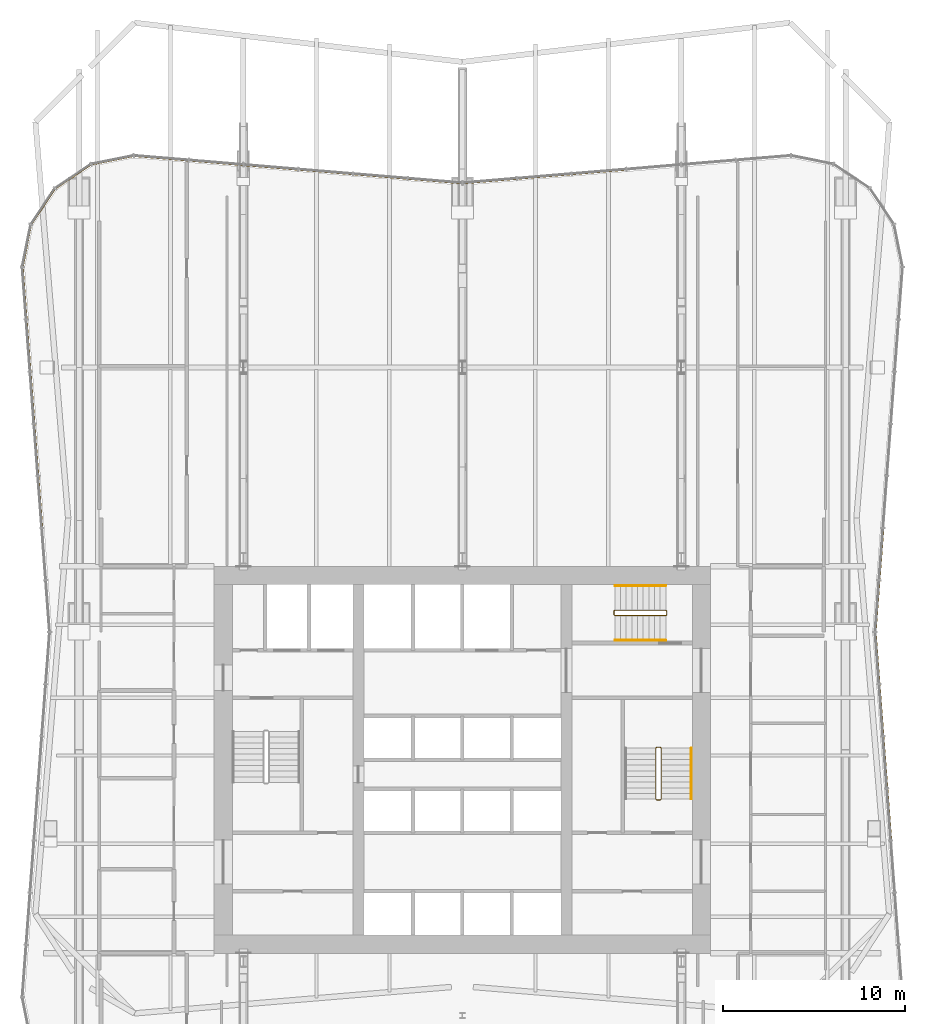
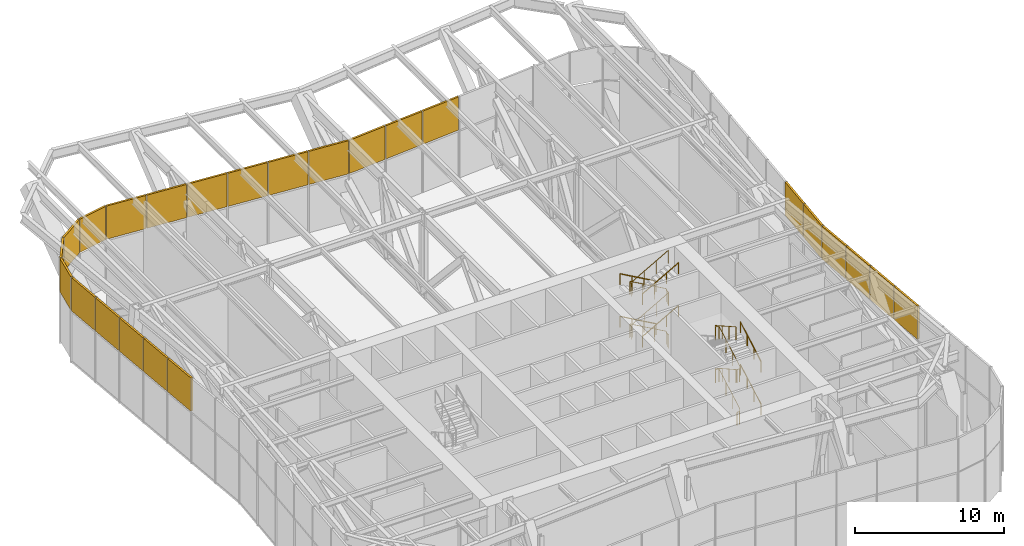
# One storey, part 15 of 16: 24 shading devices, 8 railings, 4 elements without a shape of their own.
"""IFC4 building model written with IfcOpenShell, lengths in metres."""

from ifc_helpers import new_model, si_unit, direction, frame, origin, origin_2d, place, context, subcontext, project, spatial, rectangle, circle, extrude, material, layer, layer_set, type_object, element, aggregate, save


model = new_model("IFC4")

# Units and contexts
model_context = context("Model", 3, precision=1e-05, world=origin(), true_north=direction((0.0, 1.0)))
body_context = subcontext(model_context, "Body", "Model", "MODEL_VIEW")
ifc_project = project(units=[si_unit("LENGTHUNIT", "METRE"), si_unit("AREAUNIT", "SQUARE_METRE"), si_unit("VOLUMEUNIT", "CUBIC_METRE"), si_unit("PLANEANGLEUNIT", "RADIAN"), si_unit("MASSUNIT", "GRAM", prefix="KILO")], contexts=[model_context])

# Site, building, storey
site_placement = place(None, origin())
site = spatial("IfcSite", under=ifc_project, at=site_placement, CompositionType="ELEMENT")
building_placement = place(site_placement, origin())
building = spatial("IfcBuilding", under=site, at=building_placement, Name="Verdant Reach Tower", CompositionType="ELEMENT")
storey_placement = place(building_placement, frame((0.0, 0.0, 170.0)))
storey = spatial("IfcBuildingStorey", under=building, at=storey_placement, Name="L39 Plant", CompositionType="ELEMENT", Elevation=170.0)

# Railings
ifc_material_1 = material(Name="Stainless steel", Category="steel")
railing_type_1 = type_object("IfcRailingType", Name="CO-GUARD", PredefinedType="GUARDRAIL", material=ifc_material_1)
railing_1_placement = place(storey_placement, frame((10.64990234375, 25.800048828125, 0.0)))
element("IfcRailing", 1, at=railing_1_placement, inside=storey, type_object=railing_type_1, Name="L39 Plant ST-2 stair guard 1", PredefinedType="GUARDRAIL", context=body_context, shape_type="SweptSolid", body=[
    extrude(circle(Radius=0.02392578125, at=origin_2d()), frame((0.0, 0.0, 1.076171875), z_axis=(1.0, 0.0, 0.0), x_axis=(0.0, 1.0, 0.0)), (0.0, 0.0, 1.0), 0.2001953125),
    extrude(circle(Radius=0.02392578125, at=origin_2d()), frame((0.2001953125, 0.0, 1.076171875), z_axis=(0.263862480399, 0.265155923931, 0.927399011991), x_axis=(-0.708833529934, 0.705375805398, 0.0)), (0.0, 0.0, 1.0), 0.188720703125),
    extrude(circle(Radius=0.02392578125, at=origin_2d()), frame((0.25, 0.050048828125, 1.2509765625), z_axis=(0.0, 0.870815363784, 0.491610213684), x_axis=(-1.0, 0.0, 0.0)), (0.0, 0.0, 1.0), 3.20361328125),
    extrude(circle(Radius=0.02392578125, at=origin_2d()), frame((0.25, 2.83984375, 2.826171875), z_axis=(-0.705375805398, 0.708833529934, 0.0), x_axis=(-0.708833529934, -0.705375805398, 0.0)), (0.0, 0.0, 1.0), 0.070556640625),
    extrude(circle(Radius=0.02392578125, at=origin_2d()), frame((0.2001953125, 2.889892578125, 2.826171875), z_axis=(-1.0, 0.0, 0.0), x_axis=(0.0, -1.0, 0.0)), (0.0, 0.0, 1.0), 0.2001953125),
    extrude(circle(Radius=0.02392578125, at=origin_2d()), frame((0.0, 2.889892578125, 2.826171875), z_axis=(-0.263862480399, -0.265155923931, 0.927399011991), x_axis=(0.708833529934, -0.705375805398, 0.0)), (0.0, 0.0, 1.0), 0.188720703125),
    extrude(circle(Radius=0.02392578125, at=origin_2d()), frame((-0.0498046875, 2.83984375, 3.0009765625), z_axis=(0.0, -0.870815363784, 0.491610213684), x_axis=(1.0, 0.0, 0.0)), (0.0, 0.0, 1.0), 3.20361328125),
    extrude(circle(Radius=0.02392578125, at=origin_2d()), frame((-0.0498046875, 0.050048828125, 4.576171875), z_axis=(0.705375805398, -0.708833529934, 0.0), x_axis=(0.708833529934, 0.705375805398, 0.0)), (0.0, 0.0, 1.0), 0.070556640625),
    extrude(circle(Radius=0.02392578125, at=origin_2d()), frame((0.0, 0.0, 4.576171875), z_axis=(1.0, 0.0, 0.0), x_axis=(0.0, 1.0, 0.0)), (0.0, 0.0, 1.0), 0.2001953125),
    extrude(circle(Radius=0.02392578125, at=origin_2d()), frame((0.2001953125, 0.0, 4.576171875), z_axis=(0.263862480399, 0.265155923931, 0.927399011991), x_axis=(-0.708833529934, 0.705375805398, 0.0)), (0.0, 0.0, 1.0), 0.188720703125),
    extrude(circle(Radius=0.02392578125, at=origin_2d()), frame((0.25, 0.050048828125, 4.7509765625), z_axis=(0.0, 0.870815363784, 0.491610213684), x_axis=(-1.0, 0.0, 0.0)), (0.0, 0.0, 1.0), 3.20361328125),
    extrude(circle(Radius=0.02392578125, at=origin_2d()), frame((0.25, 2.83984375, 6.326171875), z_axis=(-0.705375805398, 0.708833529934, 0.0), x_axis=(-0.708833529934, -0.705375805398, 0.0)), (0.0, 0.0, 1.0), 0.070556640625),
    extrude(circle(Radius=0.02392578125, at=origin_2d()), frame((0.2001953125, 2.889892578125, 6.326171875), z_axis=(-1.0, 0.0, 0.0), x_axis=(0.0, -1.0, 0.0)), (0.0, 0.0, 1.0), 0.2001953125),
    extrude(circle(Radius=0.02392578125, at=origin_2d()), frame((0.0, 2.889892578125, 6.326171875), z_axis=(-0.263862480399, -0.265155923931, 0.927399011991), x_axis=(0.708833529934, -0.705375805398, 0.0)), (0.0, 0.0, 1.0), 0.188720703125),
    extrude(circle(Radius=0.02392578125, at=origin_2d()), frame((-0.0498046875, 2.83984375, 6.5009765625), z_axis=(0.0, -0.870815363784, 0.491610213684), x_axis=(1.0, 0.0, 0.0)), (0.0, 0.0, 1.0), 3.20361328125),
    extrude(circle(Radius=0.02099609375, at=origin_2d()), origin(), (0.0, 0.0, 1.0), 1.052001953125),
    extrude(circle(Radius=0.02099609375, at=origin_2d()), frame((0.2001953125, 0.0, 0.0)), (0.0, 0.0, 1.0), 1.052001953125),
    extrude(circle(Radius=0.02099609375, at=origin_2d()), frame((0.25, 0.050048828125, 0.175048828125)), (0.0, 0.0, 1.0), 1.052001953125),
    extrude(circle(Radius=0.02099609375, at=origin_2d()), frame((0.25, 0.97998046875, 0.699951171875)), (0.0, 0.0, 1.0), 1.052001953125),
    extrude(circle(Radius=0.02099609375, at=origin_2d()), frame((0.25, 1.909912109375, 1.22509765625)), (0.0, 0.0, 1.0), 1.052001953125),
    extrude(circle(Radius=0.02099609375, at=origin_2d()), frame((0.25, 2.83984375, 1.75)), (0.0, 0.0, 1.0), 1.052001953125),
    extrude(circle(Radius=0.02099609375, at=origin_2d()), frame((0.2001953125, 2.889892578125, 1.75)), (0.0, 0.0, 1.0), 1.052001953125),
    extrude(circle(Radius=0.02099609375, at=origin_2d()), frame((0.0, 2.889892578125, 1.75)), (0.0, 0.0, 1.0), 1.052001953125),
    extrude(circle(Radius=0.02099609375, at=origin_2d()), frame((-0.0498046875, 2.83984375, 1.925048828125)), (0.0, 0.0, 1.0), 1.052001953125),
    extrude(circle(Radius=0.02099609375, at=origin_2d()), frame((-0.0498046875, 1.909912109375, 2.449951171875)), (0.0, 0.0, 1.0), 1.052001953125),
    extrude(circle(Radius=0.02099609375, at=origin_2d()), frame((-0.0498046875, 0.97998046875, 2.97509765625)), (0.0, 0.0, 1.0), 1.052001953125),
    extrude(circle(Radius=0.02099609375, at=origin_2d()), frame((-0.0498046875, 0.050048828125, 3.5)), (0.0, 0.0, 1.0), 1.052001953125),
    extrude(circle(Radius=0.02099609375, at=origin_2d()), frame((0.0, 0.0, 3.5)), (0.0, 0.0, 1.0), 1.052001953125),
    extrude(circle(Radius=0.02099609375, at=origin_2d()), frame((0.2001953125, 0.0, 3.5)), (0.0, 0.0, 1.0), 1.052001953125),
    extrude(circle(Radius=0.02099609375, at=origin_2d()), frame((0.25, 0.050048828125, 3.675048828125)), (0.0, 0.0, 1.0), 1.052001953125),
    extrude(circle(Radius=0.02099609375, at=origin_2d()), frame((0.25, 0.97998046875, 4.199951171875)), (0.0, 0.0, 1.0), 1.052001953125),
    extrude(circle(Radius=0.02099609375, at=origin_2d()), frame((0.25, 1.909912109375, 4.72509765625)), (0.0, 0.0, 1.0), 1.052001953125),
    extrude(circle(Radius=0.02099609375, at=origin_2d()), frame((0.25, 2.83984375, 5.25)), (0.0, 0.0, 1.0), 1.052001953125),
    extrude(circle(Radius=0.02099609375, at=origin_2d()), frame((0.2001953125, 2.889892578125, 5.25)), (0.0, 0.0, 1.0), 1.052001953125),
    extrude(circle(Radius=0.02099609375, at=origin_2d()), frame((0.0, 2.889892578125, 5.25)), (0.0, 0.0, 1.0), 1.052001953125),
    extrude(circle(Radius=0.02099609375, at=origin_2d()), frame((-0.0498046875, 2.83984375, 5.425048828125)), (0.0, 0.0, 1.0), 1.052001953125),
    extrude(circle(Radius=0.02099609375, at=origin_2d()), frame((-0.0498046875, 1.909912109375, 5.949951171875)), (0.0, 0.0, 1.0), 1.052001953125),
    extrude(circle(Radius=0.02099609375, at=origin_2d()), frame((-0.0498046875, 0.97998046875, 6.47509765625)), (0.0, 0.0, 1.0), 1.052001953125),
    extrude(circle(Radius=0.02099609375, at=origin_2d()), frame((-0.0498046875, 0.050048828125, 7.0)), (0.0, 0.0, 1.0), 1.052001953125),
])
railing_2_placement = place(storey_placement, frame((11.199951171875, 35.949951171875, 0.0)))
element("IfcRailing", 2, at=railing_2_placement, inside=storey, type_object=railing_type_1, Name="L39 Plant ST-3 stair guard 1", PredefinedType="GUARDRAIL", context=body_context, shape_type="SweptSolid", body=[
    extrude(circle(Radius=0.02392578125, at=origin_2d()), frame((0.0, 0.0, 1.076171875), z_axis=(0.0, 1.0, 0.0), x_axis=(-1.0, 0.0, 0.0)), (0.0, 0.0, 1.0), 0.199951171875),
    extrude(circle(Radius=0.02392578125, at=origin_2d()), frame((0.0, 0.199951171875, 1.076171875), z_axis=(-0.265065253269, 0.265065253269, 0.927081885822), x_axis=(-0.707106781187, -0.707106781187, 0.0)), (0.0, 0.0, 1.0), 0.188720703125),
    extrude(circle(Radius=0.02392578125, at=origin_2d()), frame((-0.050048828125, 0.25, 1.2509765625), z_axis=(-0.870815363784, 0.0, 0.491610213684), x_axis=(0.0, -1.0, 0.0)), (0.0, 0.0, 1.0), 3.20361328125),
    extrude(circle(Radius=0.02392578125, at=origin_2d()), frame((-2.83984375, 0.25, 2.826171875), z_axis=(-0.707106781187, -0.707106781187, 0.0), x_axis=(0.707106781187, -0.707106781187, 0.0)), (0.0, 0.0, 1.0), 0.07080078125),
    extrude(circle(Radius=0.02392578125, at=origin_2d()), frame((-2.889892578125, 0.199951171875, 2.826171875), z_axis=(0.0, -1.0, 0.0), x_axis=(1.0, 0.0, 0.0)), (0.0, 0.0, 1.0), 0.199951171875),
    extrude(circle(Radius=0.02392578125, at=origin_2d()), frame((-2.889892578125, 0.0, 2.826171875), z_axis=(0.265065253269, -0.265065253269, 0.927081885822), x_axis=(0.707106781187, 0.707106781187, 0.0)), (0.0, 0.0, 1.0), 0.188720703125),
    extrude(circle(Radius=0.02392578125, at=origin_2d()), frame((-2.83984375, -0.050048828125, 3.0009765625), z_axis=(0.870815363784, 0.0, 0.491610213684), x_axis=(0.0, 1.0, 0.0)), (0.0, 0.0, 1.0), 3.20361328125),
    extrude(circle(Radius=0.02392578125, at=origin_2d()), frame((-0.050048828125, -0.050048828125, 4.576171875), z_axis=(0.707106781187, 0.707106781187, 0.0), x_axis=(-0.707106781187, 0.707106781187, 0.0)), (0.0, 0.0, 1.0), 0.07080078125),
    extrude(circle(Radius=0.02392578125, at=origin_2d()), frame((0.0, 0.0, 4.576171875), z_axis=(0.0, 1.0, 0.0), x_axis=(-1.0, 0.0, 0.0)), (0.0, 0.0, 1.0), 0.199951171875),
    extrude(circle(Radius=0.02392578125, at=origin_2d()), frame((0.0, 0.199951171875, 4.576171875), z_axis=(-0.265065253269, 0.265065253269, 0.927081885822), x_axis=(-0.707106781187, -0.707106781187, 0.0)), (0.0, 0.0, 1.0), 0.188720703125),
    extrude(circle(Radius=0.02392578125, at=origin_2d()), frame((-0.050048828125, 0.25, 4.7509765625), z_axis=(-0.870815363784, 0.0, 0.491610213684), x_axis=(0.0, -1.0, 0.0)), (0.0, 0.0, 1.0), 3.20361328125),
    extrude(circle(Radius=0.02392578125, at=origin_2d()), frame((-2.83984375, 0.25, 6.326171875), z_axis=(-0.707106781187, -0.707106781187, 0.0), x_axis=(0.707106781187, -0.707106781187, 0.0)), (0.0, 0.0, 1.0), 0.07080078125),
    extrude(circle(Radius=0.02392578125, at=origin_2d()), frame((-2.889892578125, 0.199951171875, 6.326171875), z_axis=(0.0, -1.0, 0.0), x_axis=(1.0, 0.0, 0.0)), (0.0, 0.0, 1.0), 0.199951171875),
    extrude(circle(Radius=0.02392578125, at=origin_2d()), frame((-2.889892578125, 0.0, 6.326171875), z_axis=(0.265065253269, -0.265065253269, 0.927081885822), x_axis=(0.707106781187, 0.707106781187, 0.0)), (0.0, 0.0, 1.0), 0.188720703125),
    extrude(circle(Radius=0.02392578125, at=origin_2d()), frame((-2.83984375, -0.050048828125, 6.5009765625), z_axis=(0.870815363784, 0.0, 0.491610213684), x_axis=(0.0, 1.0, 0.0)), (0.0, 0.0, 1.0), 3.20361328125),
    extrude(circle(Radius=0.02099609375, at=origin_2d()), origin(), (0.0, 0.0, 1.0), 1.052001953125),
    extrude(circle(Radius=0.02099609375, at=origin_2d()), frame((0.0, 0.199951171875, 0.0)), (0.0, 0.0, 1.0), 1.052001953125),
    extrude(circle(Radius=0.02099609375, at=origin_2d()), frame((-0.050048828125, 0.25, 0.175048828125)), (0.0, 0.0, 1.0), 1.052001953125),
    extrude(circle(Radius=0.02099609375, at=origin_2d()), frame((-0.97998046875, 0.25, 0.699951171875)), (0.0, 0.0, 1.0), 1.052001953125),
    extrude(circle(Radius=0.02099609375, at=origin_2d()), frame((-1.909912109375, 0.25, 1.22509765625)), (0.0, 0.0, 1.0), 1.052001953125),
    extrude(circle(Radius=0.02099609375, at=origin_2d()), frame((-2.83984375, 0.25, 1.75)), (0.0, 0.0, 1.0), 1.052001953125),
    extrude(circle(Radius=0.02099609375, at=origin_2d()), frame((-2.889892578125, 0.199951171875, 1.75)), (0.0, 0.0, 1.0), 1.052001953125),
    extrude(circle(Radius=0.02099609375, at=origin_2d()), frame((-2.889892578125, 0.0, 1.75)), (0.0, 0.0, 1.0), 1.052001953125),
    extrude(circle(Radius=0.02099609375, at=origin_2d()), frame((-2.83984375, -0.050048828125, 1.925048828125)), (0.0, 0.0, 1.0), 1.052001953125),
    extrude(circle(Radius=0.02099609375, at=origin_2d()), frame((-1.909912109375, -0.050048828125, 2.449951171875)), (0.0, 0.0, 1.0), 1.052001953125),
    extrude(circle(Radius=0.02099609375, at=origin_2d()), frame((-0.97998046875, -0.050048828125, 2.97509765625)), (0.0, 0.0, 1.0), 1.052001953125),
    extrude(circle(Radius=0.02099609375, at=origin_2d()), frame((-0.050048828125, -0.050048828125, 3.5)), (0.0, 0.0, 1.0), 1.052001953125),
    extrude(circle(Radius=0.02099609375, at=origin_2d()), frame((0.0, 0.0, 3.5)), (0.0, 0.0, 1.0), 1.052001953125),
    extrude(circle(Radius=0.02099609375, at=origin_2d()), frame((0.0, 0.199951171875, 3.5)), (0.0, 0.0, 1.0), 1.052001953125),
    extrude(circle(Radius=0.02099609375, at=origin_2d()), frame((-0.050048828125, 0.25, 3.675048828125)), (0.0, 0.0, 1.0), 1.052001953125),
    extrude(circle(Radius=0.02099609375, at=origin_2d()), frame((-0.97998046875, 0.25, 4.199951171875)), (0.0, 0.0, 1.0), 1.052001953125),
    extrude(circle(Radius=0.02099609375, at=origin_2d()), frame((-1.909912109375, 0.25, 4.72509765625)), (0.0, 0.0, 1.0), 1.052001953125),
    extrude(circle(Radius=0.02099609375, at=origin_2d()), frame((-2.83984375, 0.25, 5.25)), (0.0, 0.0, 1.0), 1.052001953125),
    extrude(circle(Radius=0.02099609375, at=origin_2d()), frame((-2.889892578125, 0.199951171875, 5.25)), (0.0, 0.0, 1.0), 1.052001953125),
    extrude(circle(Radius=0.02099609375, at=origin_2d()), frame((-2.889892578125, 0.0, 5.25)), (0.0, 0.0, 1.0), 1.052001953125),
    extrude(circle(Radius=0.02099609375, at=origin_2d()), frame((-2.83984375, -0.050048828125, 5.425048828125)), (0.0, 0.0, 1.0), 1.052001953125),
    extrude(circle(Radius=0.02099609375, at=origin_2d()), frame((-1.909912109375, -0.050048828125, 5.949951171875)), (0.0, 0.0, 1.0), 1.052001953125),
    extrude(circle(Radius=0.02099609375, at=origin_2d()), frame((-0.97998046875, -0.050048828125, 6.47509765625)), (0.0, 0.0, 1.0), 1.052001953125),
    extrude(circle(Radius=0.02099609375, at=origin_2d()), frame((-0.050048828125, -0.050048828125, 7.0)), (0.0, 0.0, 1.0), 1.052001953125),
])
railing_type_2 = type_object("IfcRailingType", Name="CO-HANDRAIL", PredefinedType="HANDRAIL", material=ifc_material_1)
for number, where, name in (
    (3, (12.550048828125, 25.85009765625, 0.175048828125), "L39 Plant ST-2 stair handrail 1"),
    (4, (12.550048828125, 25.85009765625, 3.675048828125), "L39 Plant ST-2 stair handrail 3"),
):
    element("IfcRailing", number, at=place(storey_placement, frame(where)), inside=storey, type_object=railing_type_2, Name=name, PredefinedType="HANDRAIL", context=body_context, shape_type="SweptSolid", body=[
        extrude(circle(Radius=0.02392578125, at=origin_2d()), frame((0.0, 0.0, 0.8759765625), z_axis=(0.0, 0.870815363784, 0.491610213684), x_axis=(-1.0, 0.0, 0.0)), (0.0, 0.0, 1.0), 3.20361328125),
        extrude(circle(Radius=0.02099609375, at=origin_2d()), origin(), (0.0, 0.0, 1.0), 0.851806640625),
        extrude(circle(Radius=0.02099609375, at=origin_2d()), frame((0.0, 0.929931640625, 0.52490234375)), (0.0, 0.0, 1.0), 0.851806640625),
        extrude(circle(Radius=0.02099609375, at=origin_2d()), frame((0.0, 1.85986328125, 1.050048828125)), (0.0, 0.0, 1.0), 0.851806640625),
        extrude(circle(Radius=0.02099609375, at=origin_2d()), frame((0.0, 2.789794921875, 1.574951171875)), (0.0, 0.0, 1.0), 0.851806640625),
    ])
railing_3_placement = place(storey_placement, frame((11.14990234375, 37.550048828125, 0.175048828125)))
element("IfcRailing", 5, at=railing_3_placement, inside=storey, type_object=railing_type_2, Name="L39 Plant ST-3 stair handrail 1", PredefinedType="HANDRAIL", context=body_context, shape_type="SweptSolid", body=[
    extrude(circle(Radius=0.02392578125, at=origin_2d()), frame((0.0, 0.0, 0.8759765625), z_axis=(-0.870815363784, 0.0, 0.491610213684), x_axis=(0.0, -1.0, 0.0)), (0.0, 0.0, 1.0), 3.20361328125),
    extrude(circle(Radius=0.02099609375, at=origin_2d()), origin(), (0.0, 0.0, 1.0), 0.851806640625),
    extrude(circle(Radius=0.02099609375, at=origin_2d()), frame((-0.929931640625, 0.0, 0.52490234375)), (0.0, 0.0, 1.0), 0.851806640625),
    extrude(circle(Radius=0.02099609375, at=origin_2d()), frame((-1.85986328125, 0.0, 1.050048828125)), (0.0, 0.0, 1.0), 0.851806640625),
    extrude(circle(Radius=0.02099609375, at=origin_2d()), frame((-2.789794921875, 0.0, 1.574951171875)), (0.0, 0.0, 1.0), 0.851806640625),
])
railing_4_placement = place(storey_placement, frame((8.360107421875, 34.550048828125, 1.925048828125)))
element("IfcRailing", 6, at=railing_4_placement, inside=storey, type_object=railing_type_2, Name="L39 Plant ST-3 stair handrail 2", PredefinedType="HANDRAIL", context=body_context, shape_type="SweptSolid", body=[
    extrude(circle(Radius=0.02392578125, at=origin_2d()), frame((0.0, 0.0, 0.8759765625), z_axis=(0.870815363784, 0.0, 0.491610213684), x_axis=(0.0, 1.0, 0.0)), (0.0, 0.0, 1.0), 3.20361328125),
    extrude(circle(Radius=0.02099609375, at=origin_2d()), origin(), (0.0, 0.0, 1.0), 0.851806640625),
    extrude(circle(Radius=0.02099609375, at=origin_2d()), frame((0.929931640625, 0.0, 0.52490234375)), (0.0, 0.0, 1.0), 0.851806640625),
    extrude(circle(Radius=0.02099609375, at=origin_2d()), frame((1.85986328125, 0.0, 1.050048828125)), (0.0, 0.0, 1.0), 0.851806640625),
    extrude(circle(Radius=0.02099609375, at=origin_2d()), frame((2.789794921875, 0.0, 1.574951171875)), (0.0, 0.0, 1.0), 0.851806640625),
])
railing_5_placement = place(storey_placement, frame((11.14990234375, 37.550048828125, 3.675048828125)))
element("IfcRailing", 7, at=railing_5_placement, inside=storey, type_object=railing_type_2, Name="L39 Plant ST-3 stair handrail 3", PredefinedType="HANDRAIL", context=body_context, shape_type="SweptSolid", body=[
    extrude(circle(Radius=0.02392578125, at=origin_2d()), frame((0.0, 0.0, 0.8759765625), z_axis=(-0.870815363784, 0.0, 0.491610213684), x_axis=(0.0, -1.0, 0.0)), (0.0, 0.0, 1.0), 3.20361328125),
    extrude(circle(Radius=0.02099609375, at=origin_2d()), origin(), (0.0, 0.0, 1.0), 0.851806640625),
    extrude(circle(Radius=0.02099609375, at=origin_2d()), frame((-0.929931640625, 0.0, 0.52490234375)), (0.0, 0.0, 1.0), 0.851806640625),
    extrude(circle(Radius=0.02099609375, at=origin_2d()), frame((-1.85986328125, 0.0, 1.050048828125)), (0.0, 0.0, 1.0), 0.851806640625),
    extrude(circle(Radius=0.02099609375, at=origin_2d()), frame((-2.789794921875, 0.0, 1.574951171875)), (0.0, 0.0, 1.0), 0.851806640625),
])
railing_6_placement = place(storey_placement, frame((8.360107421875, 34.550048828125, 5.425048828125)))
element("IfcRailing", 8, at=railing_6_placement, inside=storey, type_object=railing_type_2, Name="L39 Plant ST-3 stair handrail 4", PredefinedType="HANDRAIL", context=body_context, shape_type="SweptSolid", body=[
    extrude(circle(Radius=0.02392578125, at=origin_2d()), frame((0.0, 0.0, 0.8759765625), z_axis=(0.870815363784, 0.0, 0.491610213684), x_axis=(0.0, 1.0, 0.0)), (0.0, 0.0, 1.0), 3.20361328125),
    extrude(circle(Radius=0.02099609375, at=origin_2d()), origin(), (0.0, 0.0, 1.0), 0.851806640625),
    extrude(circle(Radius=0.02099609375, at=origin_2d()), frame((0.929931640625, 0.0, 0.52490234375)), (0.0, 0.0, 1.0), 0.851806640625),
    extrude(circle(Radius=0.02099609375, at=origin_2d()), frame((1.85986328125, 0.0, 1.050048828125)), (0.0, 0.0, 1.0), 0.851806640625),
    extrude(circle(Radius=0.02099609375, at=origin_2d()), frame((2.789794921875, 0.0, 1.574951171875)), (0.0, 0.0, 1.0), 0.851806640625),
])

# Curtain wall, shading devices
ifc_material_2 = material(Name="Anodised aluminium", Category="aluminium")
curtain_wall_type = type_object("IfcCurtainWallType", Name="EN-CW SYSTEM PLANT", PredefinedType="NOTDEFINED", material=ifc_material_2)
curtain_wall_1_placement = place(storey_placement, origin())
curtain_wall_1 = element("IfcCurtainWall", 9, at=curtain_wall_1_placement, inside=storey, type_object=curtain_wall_type, Name="Curtain wall east, L39", PredefinedType="NOTDEFINED")
ifc_material_3 = material(Name="Bronze anodised aluminium louvre", Category="aluminium")
ifc_layer = layer(ifc_material_3, 0.14990234375)
ifc_layer_set = layer_set([ifc_layer], Name="EN-LOUVRE")
shading_device_type = type_object("IfcShadingDeviceType", Name="EN-LOUVRE", PredefinedType="USERDEFINED", material=ifc_layer_set)
shading_device_1_placement = place(storey_placement, frame((23.36865234375, 25.0087890625, 3.925048828125), z_axis=(0.0, 0.0, 1.0), x_axis=(-0.074789948245, 0.997199309888, 0.0)))
shading_device_1 = element("IfcShadingDevice", 10, at=shading_device_1_placement, type_object=shading_device_type, Name="Louvre bank east face part 1 4, L39", ObjectType="LOUVRE", PredefinedType="USERDEFINED", context=body_context, shape_type="SweptSolid", body=[
    extrude(rectangle(XDim=2.7890625, YDim=0.14990234375, at=origin_2d()), origin(), (0.0, 0.0, 1.0), 2.72509765625),
])
shading_device_2_placement = place(storey_placement, frame((23.154296875, 27.865966796875, 3.925048828125), z_axis=(0.0, 0.0, 1.0), x_axis=(-0.074789948245, 0.997199309888, 0.0)))
shading_device_2 = element("IfcShadingDevice", 11, at=shading_device_2_placement, type_object=shading_device_type, Name="Louvre bank east face part 1 5, L39", ObjectType="LOUVRE", PredefinedType="USERDEFINED", context=body_context, shape_type="SweptSolid", body=[
    extrude(rectangle(XDim=2.7890625, YDim=0.14990234375, at=origin_2d()), origin(), (0.0, 0.0, 1.0), 2.72509765625),
])
shading_device_3_placement = place(storey_placement, frame((22.940185546875, 30.72314453125, 3.925048828125), z_axis=(0.0, 0.0, 1.0), x_axis=(-0.074789948245, 0.997199309888, 0.0)))
shading_device_3 = element("IfcShadingDevice", 12, at=shading_device_3_placement, type_object=shading_device_type, Name="Louvre bank east face part 1 6, L39", ObjectType="LOUVRE", PredefinedType="USERDEFINED", context=body_context, shape_type="SweptSolid", body=[
    extrude(rectangle(XDim=2.7890625, YDim=0.14990234375, at=origin_2d()), origin(), (0.0, 0.0, 1.0), 2.72509765625),
])
shading_device_4_placement = place(storey_placement, frame((22.72607421875, 33.575927734375, 3.925048828125), z_axis=(0.0, 0.0, 1.0), x_axis=(-0.074906305432, 0.997190576272, 0.0)))
shading_device_4 = element("IfcShadingDevice", 13, at=shading_device_4_placement, type_object=shading_device_type, Name="Louvre bank east face part 1 7, L39", ObjectType="LOUVRE", PredefinedType="USERDEFINED", context=body_context, shape_type="SweptSolid", body=[
    extrude(rectangle(XDim=2.7802734375, YDim=0.14990234375, at=origin_2d()), origin(), (0.0, 0.0, 1.0), 2.72509765625),
])
shading_device_5_placement = place(storey_placement, frame((22.72607421875, 36.424072265625, 3.925048828125), z_axis=(0.0, 0.0, 1.0), x_axis=(0.074906305432, 0.997190576272, 0.0)))
shading_device_5 = element("IfcShadingDevice", 14, at=shading_device_5_placement, type_object=shading_device_type, Name="Louvre bank east face part 2 1, L39", ObjectType="LOUVRE", PredefinedType="USERDEFINED", context=body_context, shape_type="SweptSolid", body=[
    extrude(rectangle(XDim=2.7802734375, YDim=0.14990234375, at=origin_2d()), origin(), (0.0, 0.0, 1.0), 2.72509765625),
])
shading_device_6_placement = place(storey_placement, frame((22.940185546875, 39.27685546875, 3.925048828125), z_axis=(0.0, 0.0, 1.0), x_axis=(0.074789948245, 0.997199309888, 0.0)))
shading_device_6 = element("IfcShadingDevice", 15, at=shading_device_6_placement, type_object=shading_device_type, Name="Louvre bank east face part 2 2, L39", ObjectType="LOUVRE", PredefinedType="USERDEFINED", context=body_context, shape_type="SweptSolid", body=[
    extrude(rectangle(XDim=2.7890625, YDim=0.14990234375, at=origin_2d()), origin(), (0.0, 0.0, 1.0), 2.72509765625),
])
aggregate(curtain_wall_1, [shading_device_1, shading_device_2, shading_device_3, shading_device_4, shading_device_5, shading_device_6])

curtain_wall_2_placement = place(storey_placement, origin())
curtain_wall_2 = element("IfcCurtainWall", 16, at=curtain_wall_2_placement, inside=storey, type_object=curtain_wall_type, Name="Curtain wall north, L39", PredefinedType="NOTDEFINED")
shading_device_7_placement = place(storey_placement, frame((7.490234375, 60.24365234375, 3.925048828125), z_axis=(0.0, 0.0, 1.0), x_axis=(-0.996545758244, -0.083045479859, 0.0)))
shading_device_7 = element("IfcShadingDevice", 17, at=shading_device_7_placement, type_object=shading_device_type, Name="Louvre bank north face part 1 4, L39", ObjectType="LOUVRE", PredefinedType="USERDEFINED", context=body_context, shape_type="SweptSolid", body=[
    extrude(rectangle(XDim=2.934326171875, YDim=0.14990234375, at=origin_2d()), origin(), (0.0, 0.0, 1.0), 2.72509765625),
])
shading_device_8_placement = place(storey_placement, frame((4.490234375, 59.99365234375, 3.925048828125), z_axis=(0.0, 0.0, 1.0), x_axis=(-0.996545758244, -0.083045479859, 0.0)))
shading_device_8 = element("IfcShadingDevice", 18, at=shading_device_8_placement, type_object=shading_device_type, Name="Louvre bank north face part 1 5, L39", ObjectType="LOUVRE", PredefinedType="USERDEFINED", context=body_context, shape_type="SweptSolid", body=[
    extrude(rectangle(XDim=2.934326171875, YDim=0.14990234375, at=origin_2d()), origin(), (0.0, 0.0, 1.0), 2.72509765625),
])
shading_device_9_placement = place(storey_placement, frame((1.4951171875, 59.743896484375, 3.925048828125), z_axis=(0.0, 0.0, 1.0), x_axis=(-0.996534372104, -0.083182000546, 0.0)))
shading_device_9 = element("IfcShadingDevice", 19, at=shading_device_9_placement, type_object=shading_device_type, Name="Louvre bank north face part 1 6, L39", ObjectType="LOUVRE", PredefinedType="USERDEFINED", context=body_context, shape_type="SweptSolid", body=[
    extrude(rectangle(XDim=2.924560546875, YDim=0.14990234375, at=origin_2d()), origin(), (0.0, 0.0, 1.0), 2.72509765625),
])
shading_device_10_placement = place(storey_placement, frame((-1.4951171875, 59.743896484375, 3.925048828125), z_axis=(0.0, 0.0, 1.0), x_axis=(-0.996534372104, 0.083182000546, 0.0)))
shading_device_10 = element("IfcShadingDevice", 20, at=shading_device_10_placement, type_object=shading_device_type, Name="Louvre bank north face part 2 1, L39", ObjectType="LOUVRE", PredefinedType="USERDEFINED", context=body_context, shape_type="SweptSolid", body=[
    extrude(rectangle(XDim=2.924560546875, YDim=0.14990234375, at=origin_2d()), origin(), (0.0, 0.0, 1.0), 2.72509765625),
])
shading_device_11_placement = place(storey_placement, frame((-4.490234375, 59.99365234375, 3.925048828125), z_axis=(0.0, 0.0, 1.0), x_axis=(-0.996545758244, 0.083045479859, 0.0)))
shading_device_11 = element("IfcShadingDevice", 21, at=shading_device_11_placement, type_object=shading_device_type, Name="Louvre bank north face part 2 2, L39", ObjectType="LOUVRE", PredefinedType="USERDEFINED", context=body_context, shape_type="SweptSolid", body=[
    extrude(rectangle(XDim=2.934326171875, YDim=0.14990234375, at=origin_2d()), origin(), (0.0, 0.0, 1.0), 2.72509765625),
])
shading_device_12_placement = place(storey_placement, frame((-7.490234375, 60.24365234375, 3.925048828125), z_axis=(0.0, 0.0, 1.0), x_axis=(-0.996545758244, 0.083045479859, 0.0)))
shading_device_12 = element("IfcShadingDevice", 22, at=shading_device_12_placement, type_object=shading_device_type, Name="Louvre bank north face part 2 3, L39", ObjectType="LOUVRE", PredefinedType="USERDEFINED", context=body_context, shape_type="SweptSolid", body=[
    extrude(rectangle(XDim=2.934326171875, YDim=0.14990234375, at=origin_2d()), origin(), (0.0, 0.0, 1.0), 2.72509765625),
])
shading_device_13_placement = place(storey_placement, frame((-10.490234375, 60.49365234375, 3.925048828125), z_axis=(0.0, 0.0, 1.0), x_axis=(-0.996545758244, 0.083045479859, 0.0)))
shading_device_13 = element("IfcShadingDevice", 23, at=shading_device_13_placement, type_object=shading_device_type, Name="Louvre bank north face part 2 4, L39", ObjectType="LOUVRE", PredefinedType="USERDEFINED", context=body_context, shape_type="SweptSolid", body=[
    extrude(rectangle(XDim=2.934326171875, YDim=0.14990234375, at=origin_2d()), origin(), (0.0, 0.0, 1.0), 2.72509765625),
])
shading_device_14_placement = place(storey_placement, frame((-13.490234375, 60.74365234375, 3.925048828125), z_axis=(0.0, 0.0, 1.0), x_axis=(-0.996545758244, 0.083045479859, 0.0)))
shading_device_14 = element("IfcShadingDevice", 24, at=shading_device_14_placement, type_object=shading_device_type, Name="Louvre bank north face part 2 5, L39", ObjectType="LOUVRE", PredefinedType="USERDEFINED", context=body_context, shape_type="SweptSolid", body=[
    extrude(rectangle(XDim=2.934326171875, YDim=0.14990234375, at=origin_2d()), origin(), (0.0, 0.0, 1.0), 2.72509765625),
])
shading_device_15_placement = place(storey_placement, frame((-16.49853515625, 60.99365234375, 3.925048828125), z_axis=(0.0, 0.0, 1.0), x_axis=(-0.996577509664, 0.082663578629, 0.0)))
shading_device_15 = element("IfcShadingDevice", 25, at=shading_device_15_placement, type_object=shading_device_type, Name="Louvre bank north face part 2 6, L39", ObjectType="LOUVRE", PredefinedType="USERDEFINED", context=body_context, shape_type="SweptSolid", body=[
    extrude(rectangle(XDim=2.950927734375, YDim=0.14990234375, at=origin_2d()), origin(), (0.0, 0.0, 1.0), 2.72509765625),
])
aggregate(curtain_wall_2, [shading_device_7, shading_device_8, shading_device_9, shading_device_10, shading_device_11, shading_device_12, shading_device_13, shading_device_14, shading_device_15])

curtain_wall_3_placement = place(storey_placement, origin())
curtain_wall_3 = element("IfcCurtainWall", 26, at=curtain_wall_3_placement, inside=storey, type_object=curtain_wall_type, Name="Curtain wall north-west corner, L39", PredefinedType="NOTDEFINED")
shading_device_16_placement = place(storey_placement, frame((-19.174072265625, 60.885986328125, 3.925048828125), z_axis=(0.0, 0.0, 1.0), x_axis=(-0.980694678629, -0.195545256419, 0.0)))
shading_device_16 = element("IfcShadingDevice", 27, at=shading_device_16_placement, type_object=shading_device_type, Name="Louvre bank north-west corner 1, L39", ObjectType="LOUVRE", PredefinedType="USERDEFINED", context=body_context, shape_type="SweptSolid", body=[
    extrude(rectangle(XDim=2.304931640625, YDim=0.14990234375, at=origin_2d()), origin(), (0.0, 0.0, 1.0), 2.72509765625),
])
shading_device_17_placement = place(storey_placement, frame((-21.334228515625, 59.989990234375, 3.925048828125), z_axis=(0.0, 0.0, 1.0), x_axis=(-0.83145208321, -0.555596466265, 0.0)))
shading_device_17 = element("IfcShadingDevice", 28, at=shading_device_17_placement, type_object=shading_device_type, Name="Louvre bank north-west corner 2, L39", ObjectType="LOUVRE", PredefinedType="USERDEFINED", context=body_context, shape_type="SweptSolid", body=[
    extrude(rectangle(XDim=2.3115234375, YDim=0.14990234375, at=origin_2d()), origin(), (0.0, 0.0, 1.0), 2.72509765625),
])
shading_device_18_placement = place(storey_placement, frame((-22.989990234375, 58.334228515625, 3.925048828125), z_axis=(0.0, 0.0, 1.0), x_axis=(-0.555596466265, -0.83145208321, 0.0)))
shading_device_18 = element("IfcShadingDevice", 29, at=shading_device_18_placement, type_object=shading_device_type, Name="Louvre bank north-west corner 3, L39", ObjectType="LOUVRE", PredefinedType="USERDEFINED", context=body_context, shape_type="SweptSolid", body=[
    extrude(rectangle(XDim=2.3115234375, YDim=0.14990234375, at=origin_2d()), origin(), (0.0, 0.0, 1.0), 2.72509765625),
])
shading_device_19_placement = place(storey_placement, frame((-23.885986328125, 56.17431640625, 3.925048828125), z_axis=(0.0, 0.0, 1.0), x_axis=(-0.195573211056, -0.980689104211, 0.0)))
shading_device_19 = element("IfcShadingDevice", 30, at=shading_device_19_placement, type_object=shading_device_type, Name="Louvre bank north-west corner 4, L39", ObjectType="LOUVRE", PredefinedType="USERDEFINED", context=body_context, shape_type="SweptSolid", body=[
    extrude(rectangle(XDim=2.304443359375, YDim=0.14990234375, at=origin_2d()), origin(), (0.0, 0.0, 1.0), 2.72509765625),
])
aggregate(curtain_wall_3, [shading_device_16, shading_device_17, shading_device_18, shading_device_19])

curtain_wall_4_placement = place(storey_placement, origin())
curtain_wall_4 = element("IfcCurtainWall", 31, at=curtain_wall_4_placement, inside=storey, type_object=curtain_wall_type, Name="Curtain wall west, L39", PredefinedType="NOTDEFINED")
shading_device_20_placement = place(storey_placement, frame((-24.011474609375, 53.570556640625, 3.925048828125), z_axis=(0.0, 0.0, 1.0), x_axis=(0.074411874128, -0.997227593375, 0.0)))
shading_device_20 = element("IfcShadingDevice", 32, at=shading_device_20_placement, type_object=shading_device_type, Name="Louvre bank west face part 1 1, L39", ObjectType="LOUVRE", PredefinedType="USERDEFINED", context=body_context, shape_type="SweptSolid", body=[
    extrude(rectangle(XDim=2.80517578125, YDim=0.14990234375, at=origin_2d()), origin(), (0.0, 0.0, 1.0), 2.72509765625),
])
shading_device_21_placement = place(storey_placement, frame((-23.797119140625, 50.705322265625, 3.925048828125), z_axis=(0.0, 0.0, 1.0), x_axis=(0.074789948245, -0.997199309888, 0.0)))
shading_device_21 = element("IfcShadingDevice", 33, at=shading_device_21_placement, type_object=shading_device_type, Name="Louvre bank west face part 1 2, L39", ObjectType="LOUVRE", PredefinedType="USERDEFINED", context=body_context, shape_type="SweptSolid", body=[
    extrude(rectangle(XDim=2.7890625, YDim=0.14990234375, at=origin_2d()), origin(), (0.0, 0.0, 1.0), 2.72509765625),
])
shading_device_22_placement = place(storey_placement, frame((-23.5830078125, 47.84814453125, 3.925048828125), z_axis=(0.0, 0.0, 1.0), x_axis=(0.074789948245, -0.997199309888, 0.0)))
shading_device_22 = element("IfcShadingDevice", 34, at=shading_device_22_placement, type_object=shading_device_type, Name="Louvre bank west face part 1 3, L39", ObjectType="LOUVRE", PredefinedType="USERDEFINED", context=body_context, shape_type="SweptSolid", body=[
    extrude(rectangle(XDim=2.7890625, YDim=0.14990234375, at=origin_2d()), origin(), (0.0, 0.0, 1.0), 2.72509765625),
])
shading_device_23_placement = place(storey_placement, frame((-23.36865234375, 44.9912109375, 3.925048828125), z_axis=(0.0, 0.0, 1.0), x_axis=(0.074789948245, -0.997199309888, 0.0)))
shading_device_23 = element("IfcShadingDevice", 35, at=shading_device_23_placement, type_object=shading_device_type, Name="Louvre bank west face part 1 4, L39", ObjectType="LOUVRE", PredefinedType="USERDEFINED", context=body_context, shape_type="SweptSolid", body=[
    extrude(rectangle(XDim=2.7890625, YDim=0.14990234375, at=origin_2d()), origin(), (0.0, 0.0, 1.0), 2.72509765625),
])
shading_device_24_placement = place(storey_placement, frame((-23.154296875, 42.134033203125, 3.925048828125), z_axis=(0.0, 0.0, 1.0), x_axis=(0.074789948245, -0.997199309888, 0.0)))
shading_device_24 = element("IfcShadingDevice", 36, at=shading_device_24_placement, type_object=shading_device_type, Name="Louvre bank west face part 1 5, L39", ObjectType="LOUVRE", PredefinedType="USERDEFINED", context=body_context, shape_type="SweptSolid", body=[
    extrude(rectangle(XDim=2.7890625, YDim=0.14990234375, at=origin_2d()), origin(), (0.0, 0.0, 1.0), 2.72509765625),
])
aggregate(curtain_wall_4, [shading_device_20, shading_device_21, shading_device_22, shading_device_23, shading_device_24])

save(model, "model.ifc")
